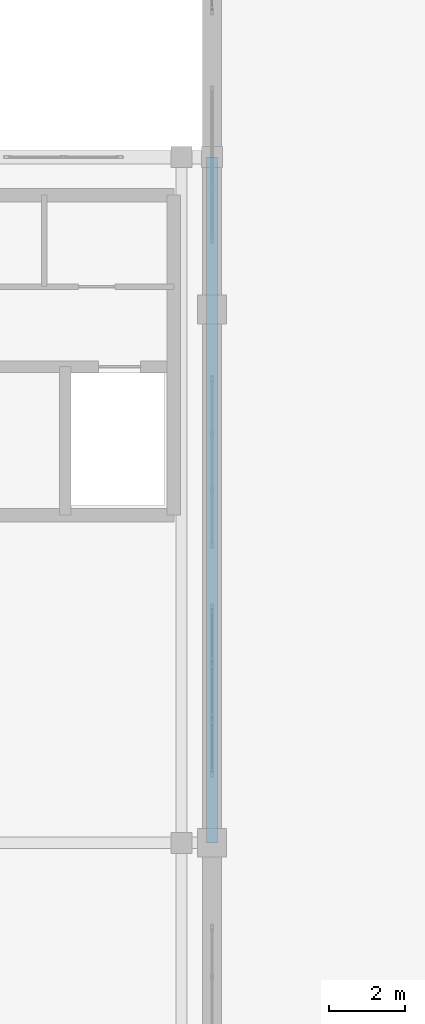
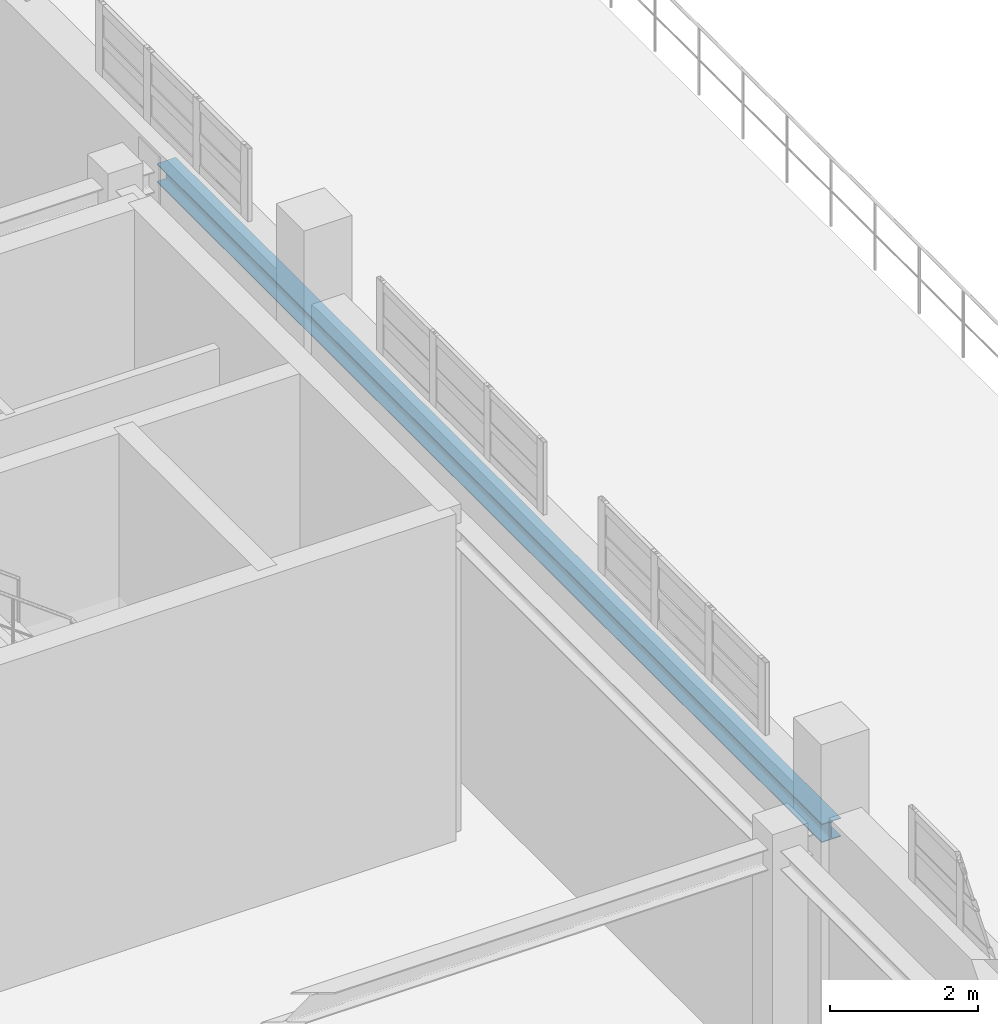
# One storey, part 131 of 197: 1 beam.
"""IFC4 building model written with IfcOpenShell, lengths in metres."""

from ifc_helpers import new_model, si_unit, derived_unit, direction, frame, origin, origin_2d, place, context, subcontext, project, spatial, i_section, extrude, material, material_profile, profile_set, type_object, element, save


model = new_model("IFC4")

# Units and contexts
model_context = context("Model", 3, precision=1e-05, world=origin(), true_north=direction((0.0, 1.0)))
body_context = subcontext(model_context, "Body", "Model", "MODEL_VIEW")
ifc_project = project(units=[si_unit("LENGTHUNIT", "METRE"), si_unit("AREAUNIT", "SQUARE_METRE"), si_unit("VOLUMEUNIT", "CUBIC_METRE"), si_unit("PLANEANGLEUNIT", "RADIAN"), si_unit("MASSUNIT", "GRAM", prefix="KILO"), derived_unit("THERMALTRANSMITTANCEUNIT", [(si_unit("POWERUNIT", "WATT"), 1), (si_unit("LENGTHUNIT", "METRE"), -2), (si_unit("THERMODYNAMICTEMPERATUREUNIT", "KELVIN"), -1)])], contexts=[model_context])

# Site, building, storey
site_placement = place(None, origin())
site = spatial("IfcSite", under=ifc_project, at=site_placement, CompositionType="ELEMENT")
building_placement = place(site_placement, origin())
building = spatial("IfcBuilding", under=site, at=building_placement, Name="Almenara Railside Exhibition Hall", CompositionType="ELEMENT")
storey_placement = place(building_placement, frame((0.0, 0.0, 5.39990234375)))
storey = spatial("IfcBuildingStorey", under=building, at=storey_placement, Name="L01", CompositionType="ELEMENT", Elevation=5.39990234375)

# Beam
ifc_material = material(Name="Structural steel S355JR", Category="steel")
ifc_material_profile = material_profile(ifc_material, i_section(OverallWidth=0.300048828125, OverallDepth=0.31005859375, WebThickness=0.009033203125, FlangeThickness=0.015380859375, FilletRadius=0.027099609375, at=origin_2d()), Name="HEA 320")
ifc_profile_set = profile_set([ifc_material_profile], Name="Structural steel S355JR")
beam_type = type_object("IfcBeamType", Name="Steel Concourse Edge Beam HEA 320 S355JR", PredefinedType="BEAM", material=ifc_profile_set)
beam_placement = place(storey_placement, frame((138.0, 90.0, 4.93115234375), z_axis=(0.0, 1.0, 0.0), x_axis=(-1.0, 0.0, 0.0)))
element("IfcBeam", 1, at=beam_placement, inside=storey, type_object=beam_type, Name="Beam 0825", PredefinedType="BEAM", context=body_context, shape_type="SweptSolid", body=[
    extrude(i_section(OverallWidth=0.300048828125, OverallDepth=0.31005859375, WebThickness=0.009033203125, FlangeThickness=0.015380859375, FilletRadius=0.027099609375, at=origin_2d()), origin(), (0.0, 0.0, 1.0), 18.0),
])

save(model, "model.ifc")
